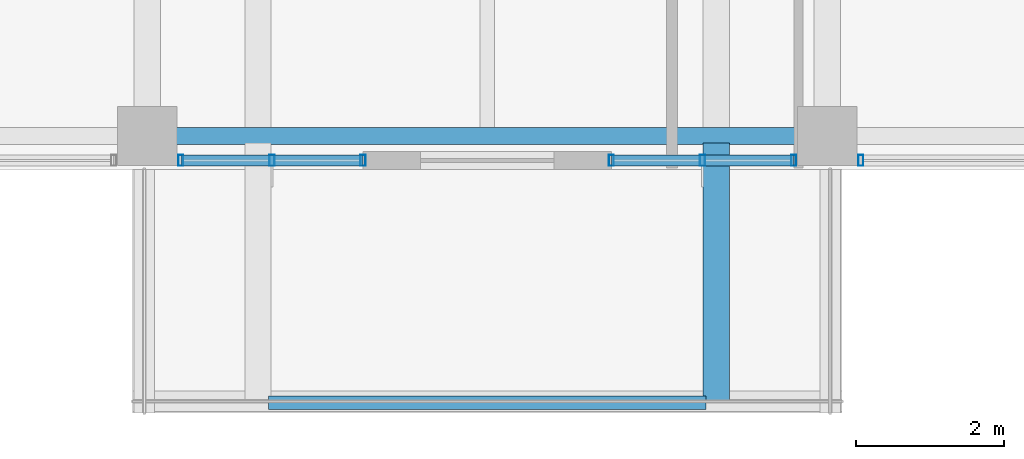
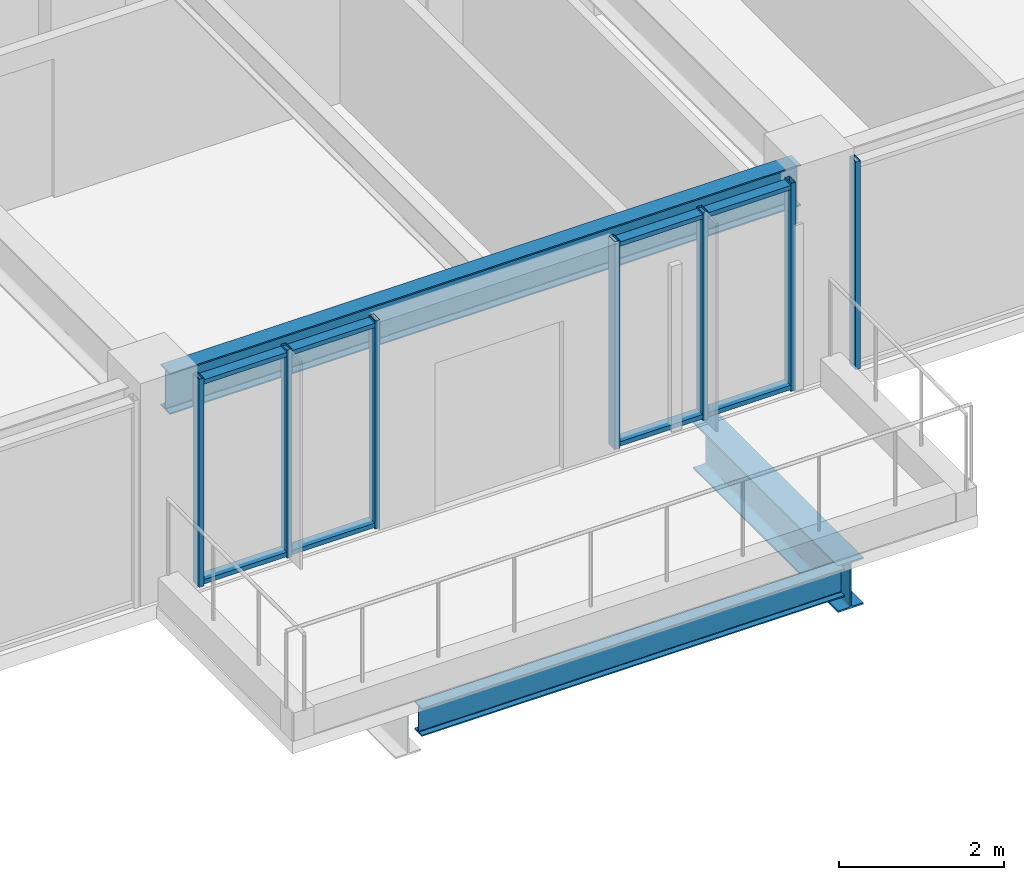
# One storey, part 6 of 36: 11 members, 3 beams, 3 elements without a shape of their own.
"""IFC4 building model written with IfcOpenShell, lengths in metres."""

from ifc_helpers import new_model, si_unit, direction, frame, origin, origin_2d, place, context, subcontext, project, spatial, hollow_rectangle, i_section, extrude, material, material_profile, profile_set, type_object, element, aggregate, save


model = new_model("IFC4")

# Units and contexts
model_context = context("Model", 3, precision=1e-05, world=origin(), true_north=direction((0.0, 1.0)))
body_context = subcontext(model_context, "Body", "Model", "MODEL_VIEW")
ifc_project = project(units=[si_unit("LENGTHUNIT", "METRE"), si_unit("AREAUNIT", "SQUARE_METRE"), si_unit("VOLUMEUNIT", "CUBIC_METRE"), si_unit("PLANEANGLEUNIT", "RADIAN"), si_unit("MASSUNIT", "GRAM", prefix="KILO")], contexts=[model_context])

# Site, building, storey
site_placement = place(None, origin())
site = spatial("IfcSite", under=ifc_project, at=site_placement, CompositionType="ELEMENT")
building_placement = place(site_placement, origin())
building = spatial("IfcBuilding", under=site, at=building_placement, Name="Kolvaren Belvedere", CompositionType="ELEMENT")
storey_placement = place(building_placement, frame((0.0, 0.0, 226.199951171875)))
storey = spatial("IfcBuildingStorey", under=building, at=storey_placement, Name="L66", CompositionType="ELEMENT", Elevation=226.199951171875)

# Beams
ifc_material_1 = material(Name="Structural steel ASTM A992 Grade 50", Category="steel")
ifc_material_profile_1 = material_profile(ifc_material_1, i_section(OverallWidth=0.35498046875, OverallDepth=0.696044921875, WebThickness=0.015380859375, FlangeThickness=0.02490234375, FilletRadius=0.02197265625, at=origin_2d()), Name="W27X146")
ifc_profile_set_1 = profile_set([ifc_material_profile_1], Name="Structural steel ASTM A992 Grade 50")
beam_type_1 = type_object("IfcBeamType", Name="BM-CANT-BAL", PredefinedType="BEAM", material=ifc_profile_set_1)
beam_1_placement = place(storey_placement, frame((3.10009765625, -20.044921875, -0.56787109375), z_axis=(0.0, -1.0, 0.0), x_axis=(1.0, 0.0, 0.0)))
element("IfcBeam", 1, at=beam_1_placement, inside=storey, type_object=beam_type_1, Name="L66 Planted Balcony Cantilever SPIRAL-10-S-2", PredefinedType="BEAM", context=body_context, shape_type="SweptSolid", body=[
    extrude(i_section(OverallWidth=0.35498046875, OverallDepth=0.696044921875, WebThickness=0.015380859375, FlangeThickness=0.02490234375, FilletRadius=0.02197265625, at=origin_2d()), origin(), (0.0, 0.0, 1.0), 3.51513671875),
])
ifc_material_2 = material(Name="Structural steel ASTM A992 Grade 50", Category="steel")
ifc_material_profile_2 = material_profile(ifc_material_2, i_section(OverallWidth=0.180908203125, OverallDepth=0.4169921875, WebThickness=0.010986328125, FlangeThickness=0.018310546875, FilletRadius=0.013916015625, at=origin_2d()), Name="W16X57")
ifc_profile_set_2 = profile_set([ifc_material_profile_2], Name="Structural steel ASTM A992 Grade 50")
beam_type_2 = type_object("IfcBeamType", Name="BM-EDGE-W16X57", PredefinedType="BEAM", material=ifc_profile_set_2)
beam_2_placement = place(storey_placement, frame((-2.9599609375, -23.56005859375, -0.428466796875), z_axis=(1.0, 0.0, 0.0), x_axis=(0.0, 1.0, 0.0)))
element("IfcBeam", 2, at=beam_2_placement, inside=storey, type_object=beam_type_2, Name="L66 Balcony Tip Header Beam SPIRAL-10-S", PredefinedType="BEAM", context=body_context, shape_type="SweptSolid", body=[
    extrude(i_section(OverallWidth=0.180908203125, OverallDepth=0.4169921875, WebThickness=0.010986328125, FlangeThickness=0.018310546875, FilletRadius=0.013916015625, at=origin_2d()), origin(), (0.0, 0.0, 1.0), 5.919921875),
])
ifc_material_3 = material(Name="Structural steel ASTM A992 Grade 50", Category="steel")
ifc_material_profile_3 = material_profile(ifc_material_3, i_section(OverallWidth=0.22900390625, OverallDepth=0.612060546875, WebThickness=0.011962890625, FlangeThickness=0.01953125, FilletRadius=0.01806640625, at=origin_2d()), Name="W24X84")
ifc_profile_set_3 = profile_set([ifc_material_profile_3], Name="Structural steel ASTM A992 Grade 50")
beam_type_3 = type_object("IfcBeamType", Name="BM-SPAN-W24X84", PredefinedType="SPANDREL", material=ifc_profile_set_3)
beam_3_placement = place(storey_placement, frame((-4.419921875, -19.949951171875, 2.774169921875), z_axis=(1.0, 0.0, 0.0), x_axis=(0.0, 1.0, 0.0)))
element("IfcBeam", 3, at=beam_3_placement, inside=storey, type_object=beam_type_3, Name="L66 Perimeter Spandrel S2-S3", PredefinedType="SPANDREL", context=body_context, shape_type="SweptSolid", body=[
    extrude(i_section(OverallWidth=0.22900390625, OverallDepth=0.612060546875, WebThickness=0.011962890625, FlangeThickness=0.01953125, FilletRadius=0.01806640625, at=origin_2d()), origin(), (0.0, 0.0, 1.0), 8.83984375),
])

# Curtain wall, member
ifc_material_4 = material(Name="Anodised pale-metal aluminium AA 6063-T6", Category="aluminium")
curtain_wall_type = type_object("IfcCurtainWallType", Name="CW-Z5-HIGH", PredefinedType="NOTDEFINED", material=ifc_material_4)
curtain_wall_1_placement = place(storey_placement, origin())
curtain_wall_1 = element("IfcCurtainWall", 4, at=curtain_wall_1_placement, inside=storey, type_object=curtain_wall_type, Name="L66 Unitised Curtain Wall FCW-L66-S1-B1", PredefinedType="NOTDEFINED")
ifc_material_5 = material(Name="Anodised pale-metal aluminium AA 6063-T6", Category="aluminium")
ifc_material_profile_4 = material_profile(ifc_material_5, hollow_rectangle(XDim=0.070068359375, YDim=0.14990234375, WallThickness=0.004150390625, at=origin_2d()), Name="ALU-MUL-150X70")
ifc_profile_set_4 = profile_set([ifc_material_profile_4], Name="Anodised pale-metal aluminium AA 6063-T6")
member_type_1 = type_object("IfcMemberType", Name="CW-MUL-150", PredefinedType="MULLION", material=ifc_profile_set_4)
member_1_placement = place(storey_placement, frame((5.054931640625, -20.280029296875, 0.0), z_axis=(0.0, 0.0, 1.0), x_axis=(1.0, 0.0, 0.0)))
member_1 = element("IfcMember", 5, at=member_1_placement, type_object=member_type_1, Name="FCW-L66-S1-B1 Unitised Mullion 3", PredefinedType="MULLION", context=body_context, shape_type="SweptSolid", body=[
    extrude(hollow_rectangle(XDim=0.070068359375, YDim=0.14990234375, WallThickness=0.004150390625, at=origin_2d()), origin(), (0.0, 0.0, 1.0), 3.080078125),
])
aggregate(curtain_wall_1, [member_1])

# Curtain wall, members
curtain_wall_2_placement = place(storey_placement, origin())
curtain_wall_2 = element("IfcCurtainWall", 6, at=curtain_wall_2_placement, inside=storey, type_object=curtain_wall_type, Name="L66 Unitised Curtain Wall FCW-L66-S1-B2", PredefinedType="NOTDEFINED")
member_2_placement = place(storey_placement, frame((4.14501953125, -20.280029296875, 0.0), z_axis=(0.0, 0.0, 1.0), x_axis=(1.0, 0.0, 0.0)))
member_2 = element("IfcMember", 7, at=member_2_placement, type_object=member_type_1, Name="FCW-L66-S1-B2 Unitised Mullion 1", PredefinedType="MULLION", context=body_context, shape_type="SweptSolid", body=[
    extrude(hollow_rectangle(XDim=0.070068359375, YDim=0.14990234375, WallThickness=0.004150390625, at=origin_2d()), origin(), (0.0, 0.0, 1.0), 3.080078125),
])
member_3_placement = place(storey_placement, frame((2.91259765625, -20.280029296875, 0.0), z_axis=(0.0, 0.0, 1.0), x_axis=(1.0, 0.0, 0.0)))
member_3 = element("IfcMember", 8, at=member_3_placement, type_object=member_type_1, Name="FCW-L66-S1-B2 Unitised Mullion 2", PredefinedType="MULLION", context=body_context, shape_type="SweptSolid", body=[
    extrude(hollow_rectangle(XDim=0.070068359375, YDim=0.14990234375, WallThickness=0.004150390625, at=origin_2d()), origin(), (0.0, 0.0, 1.0), 3.080078125),
])
member_4_placement = place(storey_placement, frame((1.679931640625, -20.280029296875, 0.0), z_axis=(0.0, 0.0, 1.0), x_axis=(1.0, 0.0, 0.0)))
member_4 = element("IfcMember", 9, at=member_4_placement, type_object=member_type_1, Name="FCW-L66-S1-B2 Unitised Mullion 3", PredefinedType="MULLION", context=body_context, shape_type="SweptSolid", body=[
    extrude(hollow_rectangle(XDim=0.070068359375, YDim=0.14990234375, WallThickness=0.004150390625, at=origin_2d()), origin(), (0.0, 0.0, 1.0), 3.080078125),
])

curtain_wall_3_placement = place(storey_placement, origin())
curtain_wall_3 = element("IfcCurtainWall", 10, at=curtain_wall_3_placement, inside=storey, type_object=curtain_wall_type, Name="L66 Unitised Curtain Wall FCW-L66-S2-B1", PredefinedType="NOTDEFINED")
member_5_placement = place(storey_placement, frame((-1.679931640625, -20.280029296875, 0.0), z_axis=(0.0, 0.0, 1.0), x_axis=(1.0, 0.0, 0.0)))
member_5 = element("IfcMember", 11, at=member_5_placement, type_object=member_type_1, Name="FCW-L66-S2-B1 Unitised Mullion 1", PredefinedType="MULLION", context=body_context, shape_type="SweptSolid", body=[
    extrude(hollow_rectangle(XDim=0.070068359375, YDim=0.14990234375, WallThickness=0.004150390625, at=origin_2d()), origin(), (0.0, 0.0, 1.0), 3.080078125),
])
member_6_placement = place(storey_placement, frame((-2.91259765625, -20.280029296875, 0.0), z_axis=(0.0, 0.0, 1.0), x_axis=(1.0, 0.0, 0.0)))
member_6 = element("IfcMember", 12, at=member_6_placement, type_object=member_type_1, Name="FCW-L66-S2-B1 Unitised Mullion 2", PredefinedType="MULLION", context=body_context, shape_type="SweptSolid", body=[
    extrude(hollow_rectangle(XDim=0.070068359375, YDim=0.14990234375, WallThickness=0.004150390625, at=origin_2d()), origin(), (0.0, 0.0, 1.0), 3.080078125),
])
member_7_placement = place(storey_placement, frame((-4.14501953125, -20.280029296875, 0.0), z_axis=(0.0, 0.0, 1.0), x_axis=(1.0, 0.0, 0.0)))
member_7 = element("IfcMember", 13, at=member_7_placement, type_object=member_type_1, Name="FCW-L66-S2-B1 Unitised Mullion 3", PredefinedType="MULLION", context=body_context, shape_type="SweptSolid", body=[
    extrude(hollow_rectangle(XDim=0.070068359375, YDim=0.14990234375, WallThickness=0.004150390625, at=origin_2d()), origin(), (0.0, 0.0, 1.0), 3.080078125),
])

# Member
ifc_material_6 = material(Name="Anodised pale-metal aluminium AA 6063-T6", Category="aluminium")
ifc_material_profile_5 = material_profile(ifc_material_6, hollow_rectangle(XDim=0.06494140625, YDim=0.14990234375, WallThickness=0.00390625, at=origin_2d()), Name="ALU-TRN-150X65")
ifc_profile_set_5 = profile_set([ifc_material_profile_5], Name="Anodised pale-metal aluminium AA 6063-T6")
member_type_2 = type_object("IfcMemberType", Name="CW-TRN-150", PredefinedType="USERDEFINED", material=ifc_profile_set_5)
member_8_placement = place(storey_placement, frame((4.14501953125, -20.280029296875, 0.06005859375), z_axis=(-1.0, 0.0, 0.0), x_axis=(0.0, 0.0, 1.0)))
member_8 = element("IfcMember", 14, at=member_8_placement, type_object=member_type_2, Name="FCW-L66-S1-B2 Sill Transom", ObjectType="TRANSOM", PredefinedType="USERDEFINED", context=body_context, shape_type="SweptSolid", body=[
    extrude(hollow_rectangle(XDim=0.06494140625, YDim=0.14990234375, WallThickness=0.00390625, at=origin_2d()), origin(), (0.0, 0.0, 1.0), 2.465087890625),
])

member_9_placement = place(storey_placement, frame((4.14501953125, -20.280029296875, 3.02001953125), z_axis=(-1.0, 0.0, 0.0), x_axis=(0.0, 0.0, 1.0)))
member_9 = element("IfcMember", 15, at=member_9_placement, type_object=member_type_2, Name="FCW-L66-S1-B2 Head Transom", ObjectType="TRANSOM", PredefinedType="USERDEFINED", context=body_context, shape_type="SweptSolid", body=[
    extrude(hollow_rectangle(XDim=0.06494140625, YDim=0.14990234375, WallThickness=0.00390625, at=origin_2d()), origin(), (0.0, 0.0, 1.0), 2.465087890625),
])

aggregate(curtain_wall_2, [member_2, member_3, member_4, member_8, member_9])

member_10_placement = place(storey_placement, frame((-1.679931640625, -20.280029296875, 0.06005859375), z_axis=(-1.0, 0.0, 0.0), x_axis=(0.0, 0.0, 1.0)))
member_10 = element("IfcMember", 16, at=member_10_placement, type_object=member_type_2, Name="FCW-L66-S2-B1 Sill Transom", ObjectType="TRANSOM", PredefinedType="USERDEFINED", context=body_context, shape_type="SweptSolid", body=[
    extrude(hollow_rectangle(XDim=0.06494140625, YDim=0.14990234375, WallThickness=0.00390625, at=origin_2d()), origin(), (0.0, 0.0, 1.0), 2.465087890625),
])

member_11_placement = place(storey_placement, frame((-1.679931640625, -20.280029296875, 3.02001953125), z_axis=(-1.0, 0.0, 0.0), x_axis=(0.0, 0.0, 1.0)))
member_11 = element("IfcMember", 17, at=member_11_placement, type_object=member_type_2, Name="FCW-L66-S2-B1 Head Transom", ObjectType="TRANSOM", PredefinedType="USERDEFINED", context=body_context, shape_type="SweptSolid", body=[
    extrude(hollow_rectangle(XDim=0.06494140625, YDim=0.14990234375, WallThickness=0.00390625, at=origin_2d()), origin(), (0.0, 0.0, 1.0), 2.465087890625),
])

aggregate(curtain_wall_3, [member_5, member_6, member_7, member_10, member_11])

save(model, "model.ifc")
